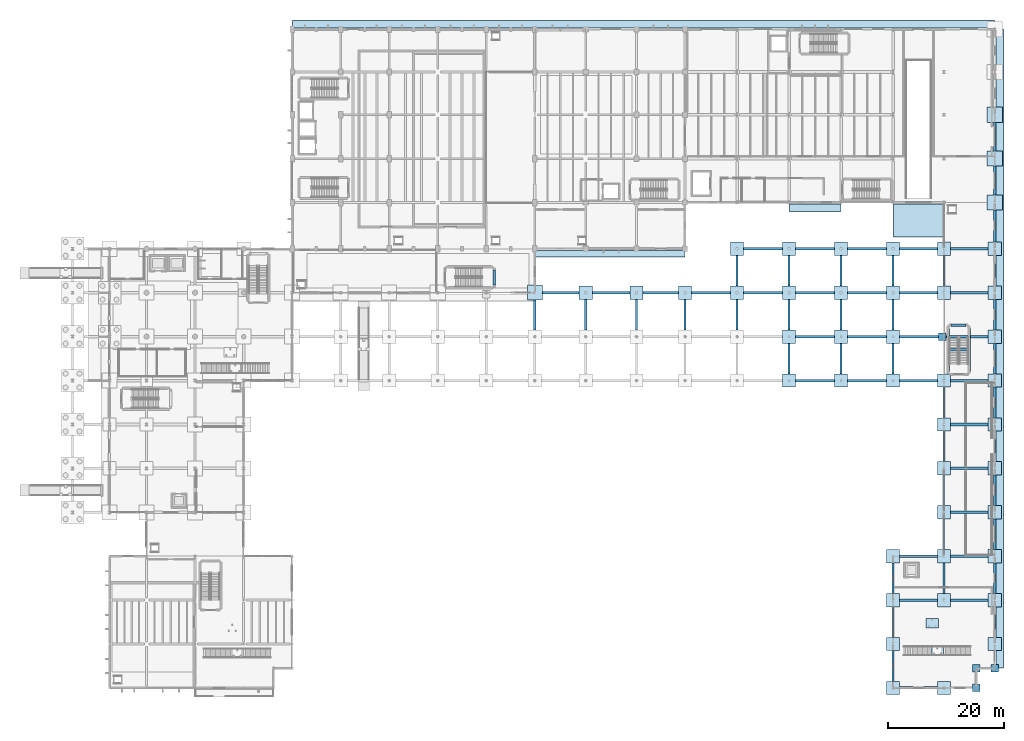
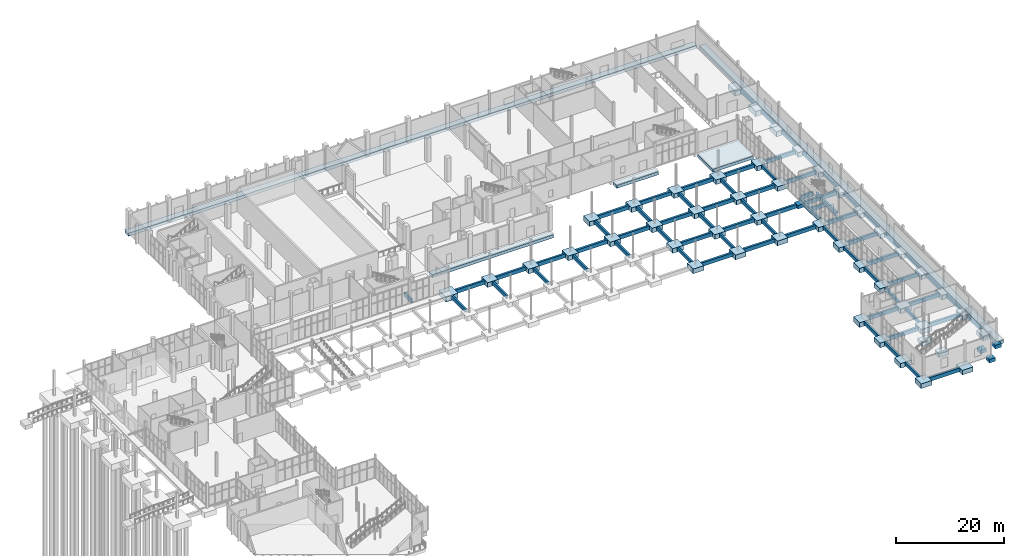
# One storey, part 3 of 95: 126 footings.
"""IFC4 building model written with IfcOpenShell, lengths in metres."""

from ifc_helpers import new_model, si_unit, direction, frame, origin, origin_2d, place, context, subcontext, project, spatial, polyline, rectangle, outline, extrude, material, material_profile, profile_set, type_object, element, save


model = new_model("IFC4")

# Units and contexts
model_context = context("Model", 3, precision=1e-05, world=origin(), true_north=direction((0.0, 1.0)))
body_context = subcontext(model_context, "Body", "Model", "MODEL_VIEW")
ifc_project = project(units=[si_unit("LENGTHUNIT", "METRE"), si_unit("AREAUNIT", "SQUARE_METRE"), si_unit("VOLUMEUNIT", "CUBIC_METRE"), si_unit("PLANEANGLEUNIT", "RADIAN"), si_unit("MASSUNIT", "GRAM", prefix="KILO")], contexts=[model_context])

# Site, building, storey
site_placement = place(None, origin())
site = spatial("IfcSite", under=ifc_project, at=site_placement, CompositionType="ELEMENT")
building_placement = place(site_placement, origin())
building = spatial("IfcBuilding", under=site, at=building_placement, Name="Shengluoqiao Park Theatre", CompositionType="ELEMENT")
storey_placement = place(building_placement, origin())
storey = spatial("IfcBuildingStorey", under=building, at=storey_placement, Name="L00", CompositionType="ELEMENT", Elevation=0.0)

# Footings
ifc_material = material(Name="Concrete C40", Category="concrete")
footing_type_1 = type_object("IfcFootingType", Name="STR-PAD-1300", PredefinedType="PAD_FOOTING", material=ifc_material)
for number, where, z_axis, x_axis, name in (
    (1, (156.93994140625, 60.800048828125, -1.10009765625), (0.0, 0.0, 1.0), (1.0, 0.0, 0.0), "Pad Footing PF-081"),
    (2, (162.800048828125, 0.0, -1.10009765625), (0.0, 0.0, 1.0), (1.0, 0.0, 0.0), "Corner Step Pad Footing 04"),
    (3, (162.800048828125, 3.39990234375, -1.10009765625), (0.0, 0.0, 1.0), (1.0, 0.0, 0.0), "Corner Step Pad Footing 05"),
    (4, (166.0, 3.39990234375, -1.10009765625), (0.0, 0.0, 1.0), (1.0, 0.0, 0.0), "Corner Step Pad Footing 06"),
):
    element("IfcFooting", number, at=place(storey_placement, frame(where, z_axis=z_axis, x_axis=x_axis)), inside=storey, type_object=footing_type_1, Name=name, PredefinedType="PAD_FOOTING", context=body_context, shape_type="SweptSolid", body=[
        extrude(rectangle(XDim=1.300048828125, YDim=1.300048828125, at=origin_2d()), origin(), (0.0, 0.0, 1.0), 0.800048828125),
    ])
footing_type_2 = type_object("IfcFootingType", Name="STR-PAD-2300", PredefinedType="PAD_FOOTING", material=ifc_material)
for number, where, z_axis, x_axis, name in (
    (5, (95.199951171875, 68.39990234375, -1.35009765625), (0.0, 0.0, 1.0), (1.0, 0.0, 0.0), "Pad Footing PF-047"),
    (6, (104.0, 68.39990234375, -1.35009765625), (0.0, 0.0, 1.0), (1.0, 0.0, 0.0), "Pad Footing PF-050"),
    (7, (112.39990234375, 68.39990234375, -1.35009765625), (0.0, 0.0, 1.0), (1.0, 0.0, 0.0), "Pad Footing PF-053"),
    (8, (121.39990234375, 68.39990234375, -1.35009765625), (0.0, 0.0, 1.0), (1.0, 0.0, 0.0), "Pad Footing PF-056"),
    (9, (121.39990234375, 76.0, -1.35009765625), (0.0, 0.0, 1.0), (1.0, 0.0, 0.0), "Pad Footing PF-057"),
    (10, (130.39990234375, 53.199951171875, -1.35009765625), (0.0, 0.0, 1.0), (1.0, 0.0, 0.0), "Pad Footing PF-058"),
    (11, (130.39990234375, 60.800048828125, -1.35009765625), (0.0, 0.0, 1.0), (1.0, 0.0, 0.0), "Pad Footing PF-059"),
    (12, (130.39990234375, 68.39990234375, -1.35009765625), (0.0, 0.0, 1.0), (1.0, 0.0, 0.0), "Pad Footing PF-060"),
    (13, (130.39990234375, 76.0, -1.35009765625), (0.0, 0.0, 1.0), (1.0, 0.0, 0.0), "Pad Footing PF-061"),
    (14, (139.39990234375, 53.199951171875, -1.35009765625), (0.0, 0.0, 1.0), (1.0, 0.0, 0.0), "Pad Footing PF-062"),
    (15, (139.39990234375, 60.800048828125, -1.35009765625), (0.0, 0.0, 1.0), (1.0, 0.0, 0.0), "Pad Footing PF-063"),
    (16, (139.39990234375, 68.39990234375, -1.35009765625), (0.0, 0.0, 1.0), (1.0, 0.0, 0.0), "Pad Footing PF-064"),
    (17, (139.39990234375, 76.0, -1.35009765625), (0.0, 0.0, 1.0), (1.0, 0.0, 0.0), "Pad Footing PF-065"),
    (18, (148.39990234375, 0.0, -1.35009765625), (0.0, 0.0, 1.0), (1.0, 0.0, 0.0), "Pad Footing PF-066"),
    (19, (148.39990234375, 7.60009765625, -1.35009765625), (0.0, 0.0, 1.0), (1.0, 0.0, 0.0), "Pad Footing PF-067"),
    (20, (148.39990234375, 15.199951171875, -1.35009765625), (0.0, 0.0, 1.0), (1.0, 0.0, 0.0), "Pad Footing PF-068"),
    (21, (148.39990234375, 22.800048828125, -1.35009765625), (0.0, 0.0, 1.0), (1.0, 0.0, 0.0), "Pad Footing PF-069"),
    (22, (148.39990234375, 53.199951171875, -1.35009765625), (0.0, 0.0, 1.0), (1.0, 0.0, 0.0), "Pad Footing PF-070"),
    (23, (148.39990234375, 60.800048828125, -1.35009765625), (0.0, 0.0, 1.0), (1.0, 0.0, 0.0), "Pad Footing PF-071"),
    (24, (148.39990234375, 68.39990234375, -1.35009765625), (0.0, 0.0, 1.0), (1.0, 0.0, 0.0), "Pad Footing PF-072"),
    (25, (148.39990234375, 76.0, -1.35009765625), (0.0, 0.0, 1.0), (1.0, 0.0, 0.0), "Pad Footing PF-073"),
    (26, (157.199951171875, 0.0, -1.35009765625), (0.0, 0.0, 1.0), (1.0, 0.0, 0.0), "Pad Footing PF-074"),
    (27, (157.199951171875, 15.199951171875, -1.35009765625), (0.0, 0.0, 1.0), (1.0, 0.0, 0.0), "Pad Footing PF-075"),
    (28, (157.199951171875, 22.800048828125, -1.35009765625), (0.0, 0.0, 1.0), (1.0, 0.0, 0.0), "Pad Footing PF-076"),
    (29, (157.199951171875, 30.39990234375, -1.35009765625), (0.0, 0.0, 1.0), (1.0, 0.0, 0.0), "Pad Footing PF-077"),
    (30, (157.199951171875, 38.0, -1.35009765625), (0.0, 0.0, 1.0), (1.0, 0.0, 0.0), "Pad Footing PF-078"),
    (31, (157.199951171875, 45.60009765625, -1.35009765625), (0.0, 0.0, 1.0), (1.0, 0.0, 0.0), "Pad Footing PF-079"),
    (32, (157.199951171875, 53.199951171875, -1.35009765625), (0.0, 0.0, 1.0), (1.0, 0.0, 0.0), "Pad Footing PF-080"),
    (33, (157.199951171875, 68.39990234375, -1.35009765625), (0.0, 0.0, 1.0), (1.0, 0.0, 0.0), "Pad Footing PF-082"),
    (34, (157.199951171875, 76.0, -1.35009765625), (0.0, 0.0, 1.0), (1.0, 0.0, 0.0), "Pad Footing PF-083"),
    (35, (166.0, 7.60009765625, -1.35009765625), (0.0, 0.0, 1.0), (1.0, 0.0, 0.0), "Pad Footing PF-084"),
    (36, (166.0, 15.199951171875, -1.35009765625), (0.0, 0.0, 1.0), (1.0, 0.0, 0.0), "Pad Footing PF-085"),
    (37, (166.0, 22.800048828125, -1.35009765625), (0.0, 0.0, 1.0), (1.0, 0.0, 0.0), "Pad Footing PF-086"),
    (38, (166.0, 30.39990234375, -1.35009765625), (0.0, 0.0, 1.0), (1.0, 0.0, 0.0), "Pad Footing PF-087"),
    (39, (166.0, 38.0, -1.35009765625), (0.0, 0.0, 1.0), (1.0, 0.0, 0.0), "Pad Footing PF-088"),
    (40, (166.0, 45.60009765625, -1.35009765625), (0.0, 0.0, 1.0), (1.0, 0.0, 0.0), "Pad Footing PF-089"),
    (41, (166.0, 53.199951171875, -1.35009765625), (0.0, 0.0, 1.0), (1.0, 0.0, 0.0), "Pad Footing PF-090"),
    (42, (166.0, 60.800048828125, -1.35009765625), (0.0, 0.0, 1.0), (1.0, 0.0, 0.0), "Pad Footing PF-091"),
    (43, (166.0, 68.39990234375, -1.35009765625), (0.0, 0.0, 1.0), (1.0, 0.0, 0.0), "Pad Footing PF-092"),
    (44, (166.0, 76.0, -1.35009765625), (0.0, 0.0, 1.0), (1.0, 0.0, 0.0), "Pad Footing PF-093"),
):
    element("IfcFooting", number, at=place(storey_placement, frame(where, z_axis=z_axis, x_axis=x_axis)), inside=storey, type_object=footing_type_2, Name=name, PredefinedType="PAD_FOOTING", context=body_context, shape_type="SweptSolid", body=[
        extrude(rectangle(XDim=2.300048828125, YDim=2.300048828125, at=origin_2d()), origin(), (0.0, 0.0, 1.0), 1.050048828125),
    ])
for number, where, z_axis, x_axis, name in (
    (45, (156.054931640625, 6.39990234375, -1.150146484375), (0.0, 0.0, 1.0), (1.0, 0.0, 0.0), "ST-09-L00 Combined Landing Pad"),
    (46, (155.18505859375, 11.199951171875, -1.150146484375), (0.0, 0.0, 1.0), (1.0, 0.0, 0.0), "ST-09-L01 Combined Landing Pad"),
):
    element("IfcFooting", number, at=place(storey_placement, frame(where, z_axis=z_axis, x_axis=x_axis)), inside=storey, type_object=footing_type_2, Name=name, PredefinedType="PAD_FOOTING", context=body_context, shape_type="SweptSolid", body=[
        extrude(rectangle(XDim=2.10009765625, YDim=1.64990234375, at=origin_2d()), origin(), (0.0, 0.0, 1.0), 0.85009765625),
    ])
footing_type_3 = type_object("IfcFootingType", Name="STR-PAD-2600", PredefinedType="PAD_FOOTING", material=ifc_material)
for number, where, z_axis, x_axis, name in (
    (47, (86.39990234375, 68.39990234375, -1.449951171875), (0.0, 0.0, 1.0), (1.0, 0.0, 0.0), "Pad Footing PF-044"),
    (48, (166.0, 84.0, -1.449951171875), (0.0, 0.0, 1.0), (1.0, 0.0, 0.0), "Pad Footing PF-094"),
    (49, (166.0, 91.60009765625, -1.449951171875), (0.0, 0.0, 1.0), (1.0, 0.0, 0.0), "Pad Footing PF-095"),
    (50, (166.0, 99.199951171875, -1.449951171875), (0.0, 0.0, 1.0), (1.0, 0.0, 0.0), "Pad Footing PF-096"),
):
    element("IfcFooting", number, at=place(storey_placement, frame(where, z_axis=z_axis, x_axis=x_axis)), inside=storey, type_object=footing_type_3, Name=name, PredefinedType="PAD_FOOTING", context=body_context, shape_type="SweptSolid", body=[
        extrude(rectangle(XDim=2.60009765625, YDim=2.60009765625, at=origin_2d()), origin(), (0.0, 0.0, 1.0), 1.14990234375),
    ])
footing_type_4 = type_object("IfcFootingType", Name="STR-SF-1100", PredefinedType="STRIP_FOOTING", material=ifc_material)
footing_1_placement = place(storey_placement, frame((0.0, 0.0, -1.25)))
element("IfcFooting", 51, at=footing_1_placement, inside=storey, type_object=footing_type_4, Name="Core Strip Footing SF-05", PredefinedType="STRIP_FOOTING", context=body_context, shape_type="SweptSolid", body=[
    extrude(outline(polyline([(79.159912109375, 69.75), (79.580078125, 69.75), (79.580078125, 72.35009765625), (79.159912109375, 72.35009765625), (79.159912109375, 69.75)])), origin(), (0.0, 0.0, 1.0), 0.949951171875),
])
footing_2_placement = place(storey_placement, frame((0.0, 0.0, -1.25)))
element("IfcFooting", 52, at=footing_2_placement, inside=storey, type_object=footing_type_4, Name="Core Strip Footing SF-07", PredefinedType="STRIP_FOOTING", context=body_context, shape_type="SweptSolid", body=[
    extrude(outline(polyline([(161.360107421875, 54.75), (161.780029296875, 54.75), (161.780029296875, 62.25), (161.360107421875, 62.25), (161.360107421875, 54.75)])), origin(), (0.0, 0.0, 1.0), 0.949951171875),
])
footing_3_placement = place(storey_placement, frame((0.0, 0.0, -1.25)))
element("IfcFooting", 53, at=footing_3_placement, inside=storey, type_object=footing_type_4, Name="Core Strip Footing SF-08", PredefinedType="STRIP_FOOTING", context=body_context, shape_type="SweptSolid", body=[
    extrude(outline(polyline([(158.449951171875, 62.56005859375), (161.050048828125, 62.56005859375), (161.050048828125, 62.97998046875), (158.449951171875, 62.97998046875), (158.449951171875, 62.56005859375)])), origin(), (0.0, 0.0, 1.0), 0.949951171875),
])
footing_4_placement = place(storey_placement, frame((0.0, 0.0, -1.25)))
element("IfcFooting", 54, at=footing_4_placement, inside=storey, type_object=footing_type_4, Name="Core Strip Footing SF-09", PredefinedType="STRIP_FOOTING", context=body_context, shape_type="SweptSolid", body=[
    extrude(outline(polyline([(157.719970703125, 54.75), (158.139892578125, 54.75), (158.139892578125, 62.25), (157.719970703125, 62.25), (157.719970703125, 54.75)])), origin(), (0.0, 0.0, 1.0), 0.949951171875),
])
footing_5_placement = place(storey_placement, frame((0.0, 0.0, -0.919921875)))
element("IfcFooting", 55, at=footing_5_placement, inside=storey, type_object=footing_type_4, Name="Apron Strip Footing APR-STH-FCR", PredefinedType="STRIP_FOOTING", context=body_context, shape_type="SweptSolid", body=[
    extrude(outline(polyline([(86.449951171875, 74.550048828125), (112.35009765625, 74.550048828125), (112.35009765625, 75.75), (86.449951171875, 75.75), (86.449951171875, 74.550048828125)])), origin(), (0.0, 0.0, 1.0), 0.699951171875),
])
footing_6_placement = place(storey_placement, frame((0.0, 0.0, -0.919921875)))
element("IfcFooting", 56, at=footing_6_placement, inside=storey, type_object=footing_type_4, Name="Apron Strip Footing APR-NTH-AUD", PredefinedType="STRIP_FOOTING", context=body_context, shape_type="SweptSolid", body=[
    extrude(outline(polyline([(44.449951171875, 114.25), (165.949951171875, 114.25), (165.949951171875, 115.550048828125), (44.449951171875, 115.550048828125), (44.449951171875, 114.25)])), origin(), (0.0, 0.0, 1.0), 0.699951171875),
])
footing_7_placement = place(storey_placement, frame((0.0, 0.0, -0.919921875)))
element("IfcFooting", 57, at=footing_7_placement, inside=storey, type_object=footing_type_4, Name="Apron Strip Footing APR-EAST-ART", PredefinedType="STRIP_FOOTING", context=body_context, shape_type="SweptSolid", body=[
    extrude(outline(polyline([(166.22998046875, 3.449951171875), (167.550048828125, 3.449951171875), (167.550048828125, 113.949951171875), (166.22998046875, 113.949951171875), (166.22998046875, 3.449951171875)])), origin(), (0.0, 0.0, 1.0), 0.699951171875),
])
footing_8_placement = place(storey_placement, frame((0.0, 0.0, -0.919921875)))
element("IfcFooting", 58, at=footing_8_placement, inside=storey, type_object=footing_type_4, Name="Apron Strip Footing APR-VRAMP-CRT", PredefinedType="STRIP_FOOTING", context=body_context, shape_type="SweptSolid", body=[
    extrude(outline(polyline([(148.449951171875, 78.050048828125), (157.14990234375, 78.050048828125), (157.14990234375, 83.75), (148.449951171875, 83.75), (148.449951171875, 78.050048828125)])), origin(), (0.0, 0.0, 1.0), 0.699951171875),
])
footing_9_placement = place(storey_placement, frame((0.0, 0.0, -0.919921875)))
element("IfcFooting", 59, at=footing_9_placement, inside=storey, type_object=footing_type_4, Name="Apron Strip Footing APR-ST10-CRT", PredefinedType="STRIP_FOOTING", context=body_context, shape_type="SweptSolid", body=[
    extrude(outline(polyline([(130.449951171875, 82.449951171875), (139.35009765625, 82.449951171875), (139.35009765625, 83.75), (130.449951171875, 83.75), (130.449951171875, 82.449951171875)])), origin(), (0.0, 0.0, 1.0), 0.699951171875),
])
ifc_material_profile_1 = material_profile(ifc_material, rectangle(XDim=0.39990234375, YDim=0.75, at=origin_2d()), Name="RC TIE 400x750")
ifc_profile_set_1 = profile_set([ifc_material_profile_1], Name="Concrete C40")
footing_type_5 = type_object("IfcFootingType", Name="STR-TB-400x750", PredefinedType="FOOTING_BEAM", material=ifc_profile_set_1)
footing_10_placement = place(storey_placement, frame((86.39990234375, 61.949951171875, -0.675048828125), z_axis=(0.0, 1.0, 0.0), x_axis=(-1.0, 0.0, 0.0)))
element("IfcFooting", 60, at=footing_10_placement, inside=storey, type_object=footing_type_5, Name="Foundation Tie Beam TB-Y126", PredefinedType="FOOTING_BEAM", context=body_context, shape_type="SweptSolid", body=[
    extrude(rectangle(XDim=0.39990234375, YDim=0.75, at=origin_2d()), origin(), (0.0, 0.0, 1.0), 5.150146484375),
])
for number, where, z_axis, x_axis, name in (
    (61, (95.199951171875, 61.949951171875, -0.675048828125), (0.0, 1.0, 0.0), (-1.0, 0.0, 0.0), "Foundation Tie Beam TB-Y128"),
    (62, (104.0, 61.949951171875, -0.675048828125), (0.0, 1.0, 0.0), (-1.0, 0.0, 0.0), "Foundation Tie Beam TB-Y130"),
    (63, (112.39990234375, 61.949951171875, -0.675048828125), (0.0, 1.0, 0.0), (-1.0, 0.0, 0.0), "Foundation Tie Beam TB-Y132"),
    (64, (121.39990234375, 61.949951171875, -0.675048828125), (0.0, 1.0, 0.0), (-1.0, 0.0, 0.0), "Foundation Tie Beam TB-Y134"),
    (65, (121.39990234375, 69.550048828125, -0.675048828125), (0.0, 1.0, 0.0), (-1.0, 0.0, 0.0), "Foundation Tie Beam TB-Y135"),
):
    element("IfcFooting", number, at=place(storey_placement, frame(where, z_axis=z_axis, x_axis=x_axis)), inside=storey, type_object=footing_type_5, Name=name, PredefinedType="FOOTING_BEAM", context=body_context, shape_type="SweptSolid", body=[
        extrude(rectangle(XDim=0.39990234375, YDim=0.75, at=origin_2d()), origin(), (0.0, 0.0, 1.0), 5.300048828125),
    ])
footing_11_placement = place(storey_placement, frame((130.39990234375, 54.35009765625, -0.675048828125), z_axis=(0.0, 1.0, 0.0), x_axis=(-1.0, 0.0, 0.0)))
element("IfcFooting", 66, at=footing_11_placement, inside=storey, type_object=footing_type_5, Name="Foundation Tie Beam TB-Y136", PredefinedType="FOOTING_BEAM", context=body_context, shape_type="SweptSolid", body=[
    extrude(rectangle(XDim=0.39990234375, YDim=0.75, at=origin_2d()), origin(), (0.0, 0.0, 1.0), 5.2998046875),
])
for number, where, z_axis, x_axis, name in (
    (67, (130.39990234375, 61.949951171875, -0.675048828125), (0.0, 1.0, 0.0), (-1.0, 0.0, 0.0), "Foundation Tie Beam TB-Y137"),
    (68, (130.39990234375, 69.550048828125, -0.675048828125), (0.0, 1.0, 0.0), (-1.0, 0.0, 0.0), "Foundation Tie Beam TB-Y138"),
):
    element("IfcFooting", number, at=place(storey_placement, frame(where, z_axis=z_axis, x_axis=x_axis)), inside=storey, type_object=footing_type_5, Name=name, PredefinedType="FOOTING_BEAM", context=body_context, shape_type="SweptSolid", body=[
        extrude(rectangle(XDim=0.39990234375, YDim=0.75, at=origin_2d()), origin(), (0.0, 0.0, 1.0), 5.300048828125),
    ])
footing_12_placement = place(storey_placement, frame((139.39990234375, 54.35009765625, -0.675048828125), z_axis=(0.0, 1.0, 0.0), x_axis=(-1.0, 0.0, 0.0)))
element("IfcFooting", 69, at=footing_12_placement, inside=storey, type_object=footing_type_5, Name="Foundation Tie Beam TB-Y139", PredefinedType="FOOTING_BEAM", context=body_context, shape_type="SweptSolid", body=[
    extrude(rectangle(XDim=0.39990234375, YDim=0.75, at=origin_2d()), origin(), (0.0, 0.0, 1.0), 5.2998046875),
])
for number, where, z_axis, x_axis, name in (
    (70, (139.39990234375, 61.949951171875, -0.675048828125), (0.0, 1.0, 0.0), (-1.0, 0.0, 0.0), "Foundation Tie Beam TB-Y140"),
    (71, (139.39990234375, 69.550048828125, -0.675048828125), (0.0, 1.0, 0.0), (-1.0, 0.0, 0.0), "Foundation Tie Beam TB-Y141"),
    (72, (148.39990234375, 1.14990234375, -0.675048828125), (0.0, 1.0, 0.0), (-1.0, 0.0, 0.0), "Foundation Tie Beam TB-Y142"),
    (73, (148.39990234375, 8.75, -0.675048828125), (0.0, 1.0, 0.0), (-1.0, 0.0, 0.0), "Foundation Tie Beam TB-Y143"),
):
    element("IfcFooting", number, at=place(storey_placement, frame(where, z_axis=z_axis, x_axis=x_axis)), inside=storey, type_object=footing_type_5, Name=name, PredefinedType="FOOTING_BEAM", context=body_context, shape_type="SweptSolid", body=[
        extrude(rectangle(XDim=0.39990234375, YDim=0.75, at=origin_2d()), origin(), (0.0, 0.0, 1.0), 5.300048828125),
    ])
for number, where, z_axis, x_axis, name in (
    (74, (148.39990234375, 16.35009765625, -0.675048828125), (0.0, 1.0, 0.0), (-1.0, 0.0, 0.0), "Foundation Tie Beam TB-Y144"),
    (75, (148.39990234375, 54.35009765625, -0.675048828125), (0.0, 1.0, 0.0), (-1.0, 0.0, 0.0), "Foundation Tie Beam TB-Y145"),
):
    element("IfcFooting", number, at=place(storey_placement, frame(where, z_axis=z_axis, x_axis=x_axis)), inside=storey, type_object=footing_type_5, Name=name, PredefinedType="FOOTING_BEAM", context=body_context, shape_type="SweptSolid", body=[
        extrude(rectangle(XDim=0.39990234375, YDim=0.75, at=origin_2d()), origin(), (0.0, 0.0, 1.0), 5.2998046875),
    ])
for number, where, z_axis, x_axis, name in (
    (76, (148.39990234375, 61.949951171875, -0.675048828125), (0.0, 1.0, 0.0), (-1.0, 0.0, 0.0), "Foundation Tie Beam TB-Y146"),
    (77, (148.39990234375, 69.550048828125, -0.675048828125), (0.0, 1.0, 0.0), (-1.0, 0.0, 0.0), "Foundation Tie Beam TB-Y147"),
):
    element("IfcFooting", number, at=place(storey_placement, frame(where, z_axis=z_axis, x_axis=x_axis)), inside=storey, type_object=footing_type_5, Name=name, PredefinedType="FOOTING_BEAM", context=body_context, shape_type="SweptSolid", body=[
        extrude(rectangle(XDim=0.39990234375, YDim=0.75, at=origin_2d()), origin(), (0.0, 0.0, 1.0), 5.300048828125),
    ])
footing_13_placement = place(storey_placement, frame((157.199951171875, 16.35009765625, -0.675048828125), z_axis=(0.0, 1.0, 0.0), x_axis=(-1.0, 0.0, 0.0)))
element("IfcFooting", 78, at=footing_13_placement, inside=storey, type_object=footing_type_5, Name="Foundation Tie Beam TB-Y148", PredefinedType="FOOTING_BEAM", context=body_context, shape_type="SweptSolid", body=[
    extrude(rectangle(XDim=0.39990234375, YDim=0.75, at=origin_2d()), origin(), (0.0, 0.0, 1.0), 5.2998046875),
])
for number, where, z_axis, x_axis, name in (
    (79, (157.199951171875, 23.949951171875, -0.675048828125), (0.0, 1.0, 0.0), (-1.0, 0.0, 0.0), "Foundation Tie Beam TB-Y149"),
    (80, (157.199951171875, 31.550048828125, -0.675048828125), (0.0, 1.0, 0.0), (-1.0, 0.0, 0.0), "Foundation Tie Beam TB-Y150"),
    (81, (157.199951171875, 39.14990234375, -0.675048828125), (0.0, 1.0, 0.0), (-1.0, 0.0, 0.0), "Foundation Tie Beam TB-Y151"),
    (82, (157.199951171875, 46.75, -0.675048828125), (0.0, 1.0, 0.0), (-1.0, 0.0, 0.0), "Foundation Tie Beam TB-Y152"),
    (83, (157.199951171875, 69.550048828125, -0.675048828125), (0.0, 1.0, 0.0), (-1.0, 0.0, 0.0), "Foundation Tie Beam TB-Y153"),
    (84, (166.0, 8.75, -0.675048828125), (0.0, 1.0, 0.0), (-1.0, 0.0, 0.0), "Foundation Tie Beam TB-Y154"),
):
    element("IfcFooting", number, at=place(storey_placement, frame(where, z_axis=z_axis, x_axis=x_axis)), inside=storey, type_object=footing_type_5, Name=name, PredefinedType="FOOTING_BEAM", context=body_context, shape_type="SweptSolid", body=[
        extrude(rectangle(XDim=0.39990234375, YDim=0.75, at=origin_2d()), origin(), (0.0, 0.0, 1.0), 5.300048828125),
    ])
footing_14_placement = place(storey_placement, frame((166.0, 16.35009765625, -0.675048828125), z_axis=(0.0, 1.0, 0.0), x_axis=(-1.0, 0.0, 0.0)))
element("IfcFooting", 85, at=footing_14_placement, inside=storey, type_object=footing_type_5, Name="Foundation Tie Beam TB-Y155", PredefinedType="FOOTING_BEAM", context=body_context, shape_type="SweptSolid", body=[
    extrude(rectangle(XDim=0.39990234375, YDim=0.75, at=origin_2d()), origin(), (0.0, 0.0, 1.0), 5.2998046875),
])
for number, where, z_axis, x_axis, name in (
    (86, (166.0, 23.949951171875, -0.675048828125), (0.0, 1.0, 0.0), (-1.0, 0.0, 0.0), "Foundation Tie Beam TB-Y156"),
    (87, (166.0, 31.550048828125, -0.675048828125), (0.0, 1.0, 0.0), (-1.0, 0.0, 0.0), "Foundation Tie Beam TB-Y157"),
    (88, (166.0, 39.14990234375, -0.675048828125), (0.0, 1.0, 0.0), (-1.0, 0.0, 0.0), "Foundation Tie Beam TB-Y158"),
    (89, (166.0, 46.75, -0.675048828125), (0.0, 1.0, 0.0), (-1.0, 0.0, 0.0), "Foundation Tie Beam TB-Y159"),
):
    element("IfcFooting", number, at=place(storey_placement, frame(where, z_axis=z_axis, x_axis=x_axis)), inside=storey, type_object=footing_type_5, Name=name, PredefinedType="FOOTING_BEAM", context=body_context, shape_type="SweptSolid", body=[
        extrude(rectangle(XDim=0.39990234375, YDim=0.75, at=origin_2d()), origin(), (0.0, 0.0, 1.0), 5.300048828125),
    ])
footing_15_placement = place(storey_placement, frame((166.0, 54.35009765625, -0.675048828125), z_axis=(0.0, 1.0, 0.0), x_axis=(-1.0, 0.0, 0.0)))
element("IfcFooting", 90, at=footing_15_placement, inside=storey, type_object=footing_type_5, Name="Foundation Tie Beam TB-Y160", PredefinedType="FOOTING_BEAM", context=body_context, shape_type="SweptSolid", body=[
    extrude(rectangle(XDim=0.39990234375, YDim=0.75, at=origin_2d()), origin(), (0.0, 0.0, 1.0), 5.2998046875),
])
for number, where, z_axis, x_axis, name in (
    (91, (166.0, 61.949951171875, -0.675048828125), (0.0, 1.0, 0.0), (-1.0, 0.0, 0.0), "Foundation Tie Beam TB-Y161"),
    (92, (166.0, 69.550048828125, -0.675048828125), (0.0, 1.0, 0.0), (-1.0, 0.0, 0.0), "Foundation Tie Beam TB-Y162"),
):
    element("IfcFooting", number, at=place(storey_placement, frame(where, z_axis=z_axis, x_axis=x_axis)), inside=storey, type_object=footing_type_5, Name=name, PredefinedType="FOOTING_BEAM", context=body_context, shape_type="SweptSolid", body=[
        extrude(rectangle(XDim=0.39990234375, YDim=0.75, at=origin_2d()), origin(), (0.0, 0.0, 1.0), 5.300048828125),
    ])
footing_16_placement = place(storey_placement, frame((166.0, 77.14990234375, -0.675048828125), z_axis=(0.0, 1.0, 0.0), x_axis=(-1.0, 0.0, 0.0)))
element("IfcFooting", 93, at=footing_16_placement, inside=storey, type_object=footing_type_5, Name="Foundation Tie Beam TB-Y163", PredefinedType="FOOTING_BEAM", context=body_context, shape_type="SweptSolid", body=[
    extrude(rectangle(XDim=0.39990234375, YDim=0.75, at=origin_2d()), origin(), (0.0, 0.0, 1.0), 5.550048828125),
])
for number, where, z_axis, x_axis, name in (
    (94, (166.0, 85.300048828125, -0.675048828125), (0.0, 1.0, 0.0), (-1.0, 0.0, 0.0), "Foundation Tie Beam TB-Y164"),
    (95, (166.0, 92.89990234375, -0.675048828125), (0.0, 1.0, 0.0), (-1.0, 0.0, 0.0), "Foundation Tie Beam TB-Y165"),
):
    element("IfcFooting", number, at=place(storey_placement, frame(where, z_axis=z_axis, x_axis=x_axis)), inside=storey, type_object=footing_type_5, Name=name, PredefinedType="FOOTING_BEAM", context=body_context, shape_type="SweptSolid", body=[
        extrude(rectangle(XDim=0.39990234375, YDim=0.75, at=origin_2d()), origin(), (0.0, 0.0, 1.0), 5.0),
    ])
ifc_material_profile_2 = material_profile(ifc_material, rectangle(XDim=0.449951171875, YDim=0.85009765625, at=origin_2d()), Name="RC TIE 450x850")
ifc_profile_set_2 = profile_set([ifc_material_profile_2], Name="Concrete C40")
footing_type_6 = type_object("IfcFootingType", Name="STR-TB-450x850", PredefinedType="FOOTING_BEAM", material=ifc_profile_set_2)
for number, where, z_axis, x_axis, name in (
    (96, (149.550048828125, 0.0, -0.72509765625), (1.0, 0.0, 0.0), (0.0, 1.0, 0.0), "Foundation Tie Beam TB-X001"),
    (97, (149.550048828125, 15.199951171875, -0.72509765625), (1.0, 0.0, 0.0), (0.0, 1.0, 0.0), "Foundation Tie Beam TB-X002"),
    (98, (158.35009765625, 15.199951171875, -0.72509765625), (1.0, 0.0, 0.0), (0.0, 1.0, 0.0), "Foundation Tie Beam TB-X003"),
    (99, (149.550048828125, 22.800048828125, -0.72509765625), (1.0, 0.0, 0.0), (0.0, 1.0, 0.0), "Foundation Tie Beam TB-X004"),
    (100, (158.35009765625, 22.800048828125, -0.72509765625), (1.0, 0.0, 0.0), (0.0, 1.0, 0.0), "Foundation Tie Beam TB-X005"),
    (101, (158.35009765625, 30.39990234375, -0.72509765625), (1.0, 0.0, 0.0), (0.0, 1.0, 0.0), "Foundation Tie Beam TB-X010"),
    (102, (158.35009765625, 38.0, -0.72509765625), (1.0, 0.0, 0.0), (0.0, 1.0, 0.0), "Foundation Tie Beam TB-X015"),
    (103, (158.35009765625, 45.60009765625, -0.72509765625), (1.0, 0.0, 0.0), (0.0, 1.0, 0.0), "Foundation Tie Beam TB-X020"),
):
    element("IfcFooting", number, at=place(storey_placement, frame(where, z_axis=z_axis, x_axis=x_axis)), inside=storey, type_object=footing_type_6, Name=name, PredefinedType="FOOTING_BEAM", context=body_context, shape_type="SweptSolid", body=[
        extrude(rectangle(XDim=0.449951171875, YDim=0.85009765625, at=origin_2d()), origin(), (0.0, 0.0, 1.0), 6.5),
    ])
for number, where, z_axis, x_axis, name in (
    (104, (131.550048828125, 53.199951171875, -0.72509765625), (1.0, 0.0, 0.0), (0.0, 1.0, 0.0), "Foundation Tie Beam TB-X036"),
    (105, (140.550048828125, 53.199951171875, -0.72509765625), (1.0, 0.0, 0.0), (0.0, 1.0, 0.0), "Foundation Tie Beam TB-X037"),
):
    element("IfcFooting", number, at=place(storey_placement, frame(where, z_axis=z_axis, x_axis=x_axis)), inside=storey, type_object=footing_type_6, Name=name, PredefinedType="FOOTING_BEAM", context=body_context, shape_type="SweptSolid", body=[
        extrude(rectangle(XDim=0.449951171875, YDim=0.85009765625, at=origin_2d()), origin(), (0.0, 0.0, 1.0), 6.699951171875),
    ])
for number, where, z_axis, x_axis, name in (
    (106, (149.550048828125, 53.199951171875, -0.72509765625), (1.0, 0.0, 0.0), (0.0, 1.0, 0.0), "Foundation Tie Beam TB-X038"),
    (107, (158.35009765625, 53.199951171875, -0.72509765625), (1.0, 0.0, 0.0), (0.0, 1.0, 0.0), "Foundation Tie Beam TB-X039"),
):
    element("IfcFooting", number, at=place(storey_placement, frame(where, z_axis=z_axis, x_axis=x_axis)), inside=storey, type_object=footing_type_6, Name=name, PredefinedType="FOOTING_BEAM", context=body_context, shape_type="SweptSolid", body=[
        extrude(rectangle(XDim=0.449951171875, YDim=0.85009765625, at=origin_2d()), origin(), (0.0, 0.0, 1.0), 6.5),
    ])
for number, where, z_axis, x_axis, name in (
    (108, (131.550048828125, 60.800048828125, -0.72509765625), (1.0, 0.0, 0.0), (0.0, 1.0, 0.0), "Foundation Tie Beam TB-X055"),
    (109, (140.550048828125, 60.800048828125, -0.72509765625), (1.0, 0.0, 0.0), (0.0, 1.0, 0.0), "Foundation Tie Beam TB-X056"),
):
    element("IfcFooting", number, at=place(storey_placement, frame(where, z_axis=z_axis, x_axis=x_axis)), inside=storey, type_object=footing_type_6, Name=name, PredefinedType="FOOTING_BEAM", context=body_context, shape_type="SweptSolid", body=[
        extrude(rectangle(XDim=0.449951171875, YDim=0.85009765625, at=origin_2d()), origin(), (0.0, 0.0, 1.0), 6.699951171875),
    ])
footing_17_placement = place(storey_placement, frame((149.550048828125, 60.800048828125, -0.72509765625), z_axis=(1.0, 0.0, 0.0), x_axis=(0.0, 1.0, 0.0)))
element("IfcFooting", 110, at=footing_17_placement, inside=storey, type_object=footing_type_6, Name="Foundation Tie Beam TB-X057", PredefinedType="FOOTING_BEAM", context=body_context, shape_type="SweptSolid", body=[
    extrude(rectangle(XDim=0.449951171875, YDim=0.85009765625, at=origin_2d()), origin(), (0.0, 0.0, 1.0), 6.739990234375),
])
footing_18_placement = place(storey_placement, frame((157.590087890625, 60.800048828125, -0.72509765625), z_axis=(1.0, 0.0, 0.0), x_axis=(0.0, 1.0, 0.0)))
element("IfcFooting", 111, at=footing_18_placement, inside=storey, type_object=footing_type_6, Name="Foundation Tie Beam TB-X058", PredefinedType="FOOTING_BEAM", context=body_context, shape_type="SweptSolid", body=[
    extrude(rectangle(XDim=0.449951171875, YDim=0.85009765625, at=origin_2d()), origin(), (0.0, 0.0, 1.0), 7.260009765625),
])
footing_19_placement = place(storey_placement, frame((87.699951171875, 68.39990234375, -0.72509765625), z_axis=(1.0, 0.0, 0.0), x_axis=(0.0, 1.0, 0.0)))
element("IfcFooting", 112, at=footing_19_placement, inside=storey, type_object=footing_type_6, Name="Foundation Tie Beam TB-X067", PredefinedType="FOOTING_BEAM", context=body_context, shape_type="SweptSolid", body=[
    extrude(rectangle(XDim=0.449951171875, YDim=0.85009765625, at=origin_2d()), origin(), (0.0, 0.0, 1.0), 6.35009765625),
])
footing_20_placement = place(storey_placement, frame((96.35009765625, 68.39990234375, -0.72509765625), z_axis=(1.0, 0.0, 0.0), x_axis=(0.0, 1.0, 0.0)))
element("IfcFooting", 113, at=footing_20_placement, inside=storey, type_object=footing_type_6, Name="Foundation Tie Beam TB-X068", PredefinedType="FOOTING_BEAM", context=body_context, shape_type="SweptSolid", body=[
    extrude(rectangle(XDim=0.449951171875, YDim=0.85009765625, at=origin_2d()), origin(), (0.0, 0.0, 1.0), 6.5),
])
footing_21_placement = place(storey_placement, frame((105.14990234375, 68.39990234375, -0.72509765625), z_axis=(1.0, 0.0, 0.0), x_axis=(0.0, 1.0, 0.0)))
element("IfcFooting", 114, at=footing_21_placement, inside=storey, type_object=footing_type_6, Name="Foundation Tie Beam TB-X069", PredefinedType="FOOTING_BEAM", context=body_context, shape_type="SweptSolid", body=[
    extrude(rectangle(XDim=0.449951171875, YDim=0.85009765625, at=origin_2d()), origin(), (0.0, 0.0, 1.0), 6.10009765625),
])
for number, where, z_axis, x_axis, name in (
    (115, (113.550048828125, 68.39990234375, -0.72509765625), (1.0, 0.0, 0.0), (0.0, 1.0, 0.0), "Foundation Tie Beam TB-X070"),
    (116, (122.550048828125, 68.39990234375, -0.72509765625), (1.0, 0.0, 0.0), (0.0, 1.0, 0.0), "Foundation Tie Beam TB-X071"),
    (117, (131.550048828125, 68.39990234375, -0.72509765625), (1.0, 0.0, 0.0), (0.0, 1.0, 0.0), "Foundation Tie Beam TB-X072"),
    (118, (140.550048828125, 68.39990234375, -0.72509765625), (1.0, 0.0, 0.0), (0.0, 1.0, 0.0), "Foundation Tie Beam TB-X073"),
):
    element("IfcFooting", number, at=place(storey_placement, frame(where, z_axis=z_axis, x_axis=x_axis)), inside=storey, type_object=footing_type_6, Name=name, PredefinedType="FOOTING_BEAM", context=body_context, shape_type="SweptSolid", body=[
        extrude(rectangle(XDim=0.449951171875, YDim=0.85009765625, at=origin_2d()), origin(), (0.0, 0.0, 1.0), 6.699951171875),
    ])
for number, where, z_axis, x_axis, name in (
    (119, (149.550048828125, 68.39990234375, -0.72509765625), (1.0, 0.0, 0.0), (0.0, 1.0, 0.0), "Foundation Tie Beam TB-X074"),
    (120, (158.35009765625, 68.39990234375, -0.72509765625), (1.0, 0.0, 0.0), (0.0, 1.0, 0.0), "Foundation Tie Beam TB-X075"),
):
    element("IfcFooting", number, at=place(storey_placement, frame(where, z_axis=z_axis, x_axis=x_axis)), inside=storey, type_object=footing_type_6, Name=name, PredefinedType="FOOTING_BEAM", context=body_context, shape_type="SweptSolid", body=[
        extrude(rectangle(XDim=0.449951171875, YDim=0.85009765625, at=origin_2d()), origin(), (0.0, 0.0, 1.0), 6.5),
    ])
for number, where, z_axis, x_axis, name in (
    (121, (122.550048828125, 76.0, -0.72509765625), (1.0, 0.0, 0.0), (0.0, 1.0, 0.0), "Foundation Tie Beam TB-X080"),
    (122, (131.550048828125, 76.0, -0.72509765625), (1.0, 0.0, 0.0), (0.0, 1.0, 0.0), "Foundation Tie Beam TB-X081"),
    (123, (140.550048828125, 76.0, -0.72509765625), (1.0, 0.0, 0.0), (0.0, 1.0, 0.0), "Foundation Tie Beam TB-X082"),
):
    element("IfcFooting", number, at=place(storey_placement, frame(where, z_axis=z_axis, x_axis=x_axis)), inside=storey, type_object=footing_type_6, Name=name, PredefinedType="FOOTING_BEAM", context=body_context, shape_type="SweptSolid", body=[
        extrude(rectangle(XDim=0.449951171875, YDim=0.85009765625, at=origin_2d()), origin(), (0.0, 0.0, 1.0), 6.699951171875),
    ])
for number, where, z_axis, x_axis, name in (
    (124, (149.550048828125, 76.0, -0.72509765625), (1.0, 0.0, 0.0), (0.0, 1.0, 0.0), "Foundation Tie Beam TB-X083"),
    (125, (158.35009765625, 76.0, -0.72509765625), (1.0, 0.0, 0.0), (0.0, 1.0, 0.0), "Foundation Tie Beam TB-X084"),
):
    element("IfcFooting", number, at=place(storey_placement, frame(where, z_axis=z_axis, x_axis=x_axis)), inside=storey, type_object=footing_type_6, Name=name, PredefinedType="FOOTING_BEAM", context=body_context, shape_type="SweptSolid", body=[
        extrude(rectangle(XDim=0.449951171875, YDim=0.85009765625, at=origin_2d()), origin(), (0.0, 0.0, 1.0), 6.5),
    ])
footing_22_placement = place(storey_placement, frame((158.139892578125, 58.5, -0.72509765625), z_axis=(1.0, 0.0, 0.0), x_axis=(0.0, 1.0, 0.0)))
element("IfcFooting", 126, at=footing_22_placement, inside=storey, type_object=footing_type_6, Name="Foundation Tie Beam TB-X085", PredefinedType="FOOTING_BEAM", context=body_context, shape_type="SweptSolid", body=[
    extrude(rectangle(XDim=0.449951171875, YDim=0.85009765625, at=origin_2d()), origin(), (0.0, 0.0, 1.0), 3.22021484375),
])

save(model, "model.ifc")
